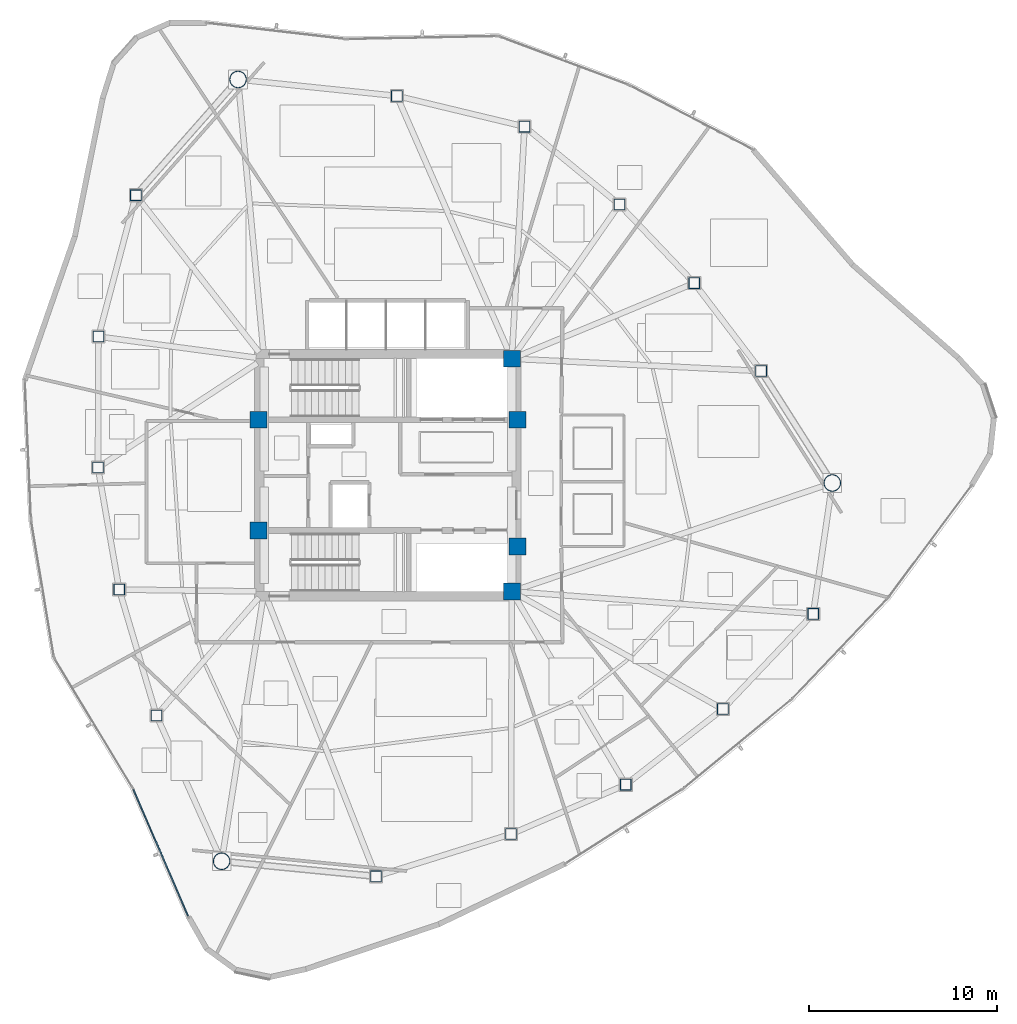
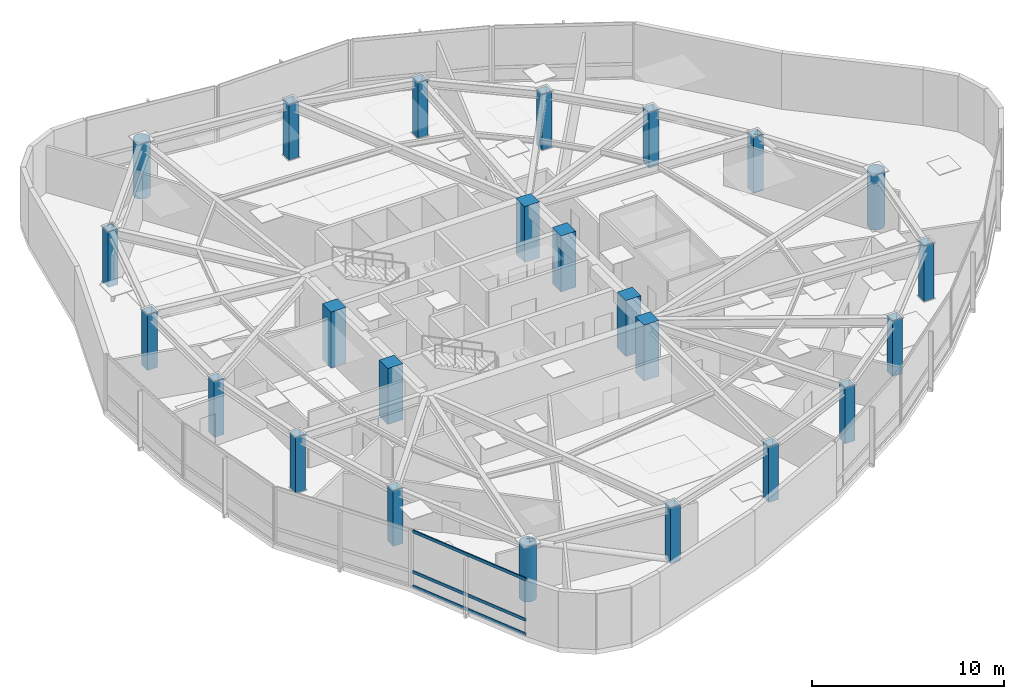
# One storey, part 1 of 17: 24 columns, 3 members, 1 element without a shape of its own.
"""IFC4 building model written with IfcOpenShell, lengths in metres."""

from ifc_helpers import new_model, si_unit, direction, frame, origin, origin_2d, place, context, subcontext, project, spatial, rectangle, hollow_rectangle, hollow_circle, extrude, source, transform, mapped, material, layer, layer_set, material_profile, profile_set, type_object, type_shapes, element, aggregate, save


model = new_model("IFC4")

# Units and contexts
model_context = context("Model", 3, precision=1e-05, world=origin(), true_north=direction((0.0, 1.0)))
body_context = subcontext(model_context, "Body", "Model", "MODEL_VIEW")
ifc_project = project(units=[si_unit("LENGTHUNIT", "METRE"), si_unit("AREAUNIT", "SQUARE_METRE"), si_unit("VOLUMEUNIT", "CUBIC_METRE"), si_unit("PLANEANGLEUNIT", "RADIAN"), si_unit("MASSUNIT", "GRAM", prefix="KILO")], contexts=[model_context])

# Site, building, storey
site_placement = place(None, origin())
site = spatial("IfcSite", under=ifc_project, at=site_placement, CompositionType="ELEMENT")
building_placement = place(site_placement, origin())
building = spatial("IfcBuilding", under=site, at=building_placement, Name="Tavelor Broadcast Tower", CompositionType="ELEMENT")
storey_placement = place(building_placement, frame((0.0, 0.0, 184.89990234375)))
storey = spatial("IfcBuildingStorey", under=building, at=storey_placement, Name="L44", CompositionType="ELEMENT", Elevation=184.89990234375)

# Columns
ifc_material_1 = material(Name="Concrete C50/60", Category="concrete")
ifc_material_profile_1 = material_profile(ifc_material_1, rectangle(XDim=0.89990234375, YDim=0.89990234375, at=origin_2d()), Name="RC 900x900")
ifc_profile_set_1 = profile_set([ifc_material_profile_1], Name="Concrete C50/60")
column_type_1 = type_object("IfcColumnType", Name="Core Embedded Composite Column RC900", PredefinedType="COLUMN", material=ifc_profile_set_1)
for number, where, z_axis, x_axis, name in (
    (1, (43.10009765625, 47.949951171875, 0.0), (0.0, 0.0, 1.0), (1.0, 0.0, 0.0), "L44 Core Embedded Column 1"),
    (2, (56.89990234375, 47.949951171875, 0.0), (0.0, 0.0, 1.0), (1.0, 0.0, 0.0), "L44 Core Embedded Column 2"),
    (3, (56.60009765625, 51.199951171875, 0.0), (0.0, 0.0, 1.0), (1.0, 0.0, 0.0), "L44 Core Embedded Column 3"),
    (4, (43.10009765625, 42.050048828125, 0.0), (0.0, 0.0, 1.0), (1.0, 0.0, 0.0), "L44 Core Embedded Column 4"),
    (5, (56.89990234375, 41.199951171875, 0.0), (0.0, 0.0, 1.0), (1.0, 0.0, 0.0), "L44 Core Embedded Column 5"),
    (6, (56.60009765625, 38.800048828125, 0.0), (0.0, 0.0, 1.0), (1.0, 0.0, 0.0), "L44 Core Embedded Column 6"),
):
    element("IfcColumn", number, at=place(storey_placement, frame(where, z_axis=z_axis, x_axis=x_axis)), inside=storey, type_object=column_type_1, Name=name, PredefinedType="COLUMN", context=body_context, shape_type="SweptSolid", body=[
        extrude(rectangle(XDim=0.89990234375, YDim=0.89990234375, at=origin_2d()), origin(), (0.0, 0.0, 1.0), 3.550048828125),
    ])
ifc_material_2 = material(Name="Steel S460", Category="steel")
ifc_material_profile_2 = material_profile(ifc_material_2, hollow_rectangle(XDim=0.60009765625, YDim=0.60009765625, WallThickness=0.035888671875, at=origin_2d()), Name="SHS 600x600x36")
ifc_profile_set_2 = profile_set([ifc_material_profile_2], Name="Steel S460")
column_type_2 = type_object("IfcColumnType", Name="Perimeter Tube Column T4 SHS 600x600x36", PredefinedType="COLUMN", material=ifc_profile_set_2)
for number, where, z_axis, x_axis, name in (
    (7, (36.567626953125, 59.91064453125, 0.0), (0.0, 0.0, 1.0), (1.0, 0.0, 0.0), "L44 Perimeter Framed-Tube Column 02"),
    (8, (34.5751953125, 52.37939453125, 0.0), (0.0, 0.0, 1.0), (1.0, 0.0, 0.0), "L44 Perimeter Framed-Tube Column 03"),
    (9, (34.54638671875, 45.399169921875, 0.0), (0.0, 0.0, 1.0), (1.0, 0.0, 0.0), "L44 Perimeter Framed-Tube Column 04"),
    (10, (35.680908203125, 38.89990234375, 0.0), (0.0, 0.0, 1.0), (1.0, 0.0, 0.0), "L44 Perimeter Framed-Tube Column 05"),
    (11, (37.668212890625, 32.1904296875, 0.0), (0.0, 0.0, 1.0), (1.0, 0.0, 0.0), "L44 Perimeter Framed-Tube Column 06"),
    (12, (49.366455078125, 23.618896484375, 0.0), (0.0, 0.0, 1.0), (1.0, 0.0, 0.0), "L44 Perimeter Framed-Tube Column 08"),
    (13, (56.56103515625, 25.872802734375, 0.0), (0.0, 0.0, 1.0), (1.0, 0.0, 0.0), "L44 Perimeter Framed-Tube Column 09"),
    (14, (62.669189453125, 28.503173828125, 0.0), (0.0, 0.0, 1.0), (1.0, 0.0, 0.0), "L44 Perimeter Framed-Tube Column 10"),
    (15, (67.84228515625, 32.53173828125, 0.0), (0.0, 0.0, 1.0), (1.0, 0.0, 0.0), "L44 Perimeter Framed-Tube Column 11"),
    (16, (72.6591796875, 37.607421875, 0.0), (0.0, 0.0, 1.0), (1.0, 0.0, 0.0), "L44 Perimeter Framed-Tube Column 12"),
    (17, (69.885986328125, 50.544189453125, 0.0), (0.0, 0.0, 1.0), (1.0, 0.0, 0.0), "L44 Perimeter Framed-Tube Column 14"),
    (18, (66.322021484375, 55.228759765625, 0.0), (0.0, 0.0, 1.0), (1.0, 0.0, 0.0), "L44 Perimeter Framed-Tube Column 15"),
    (19, (62.330810546875, 59.416259765625, 0.0), (0.0, 0.0, 1.0), (1.0, 0.0, 0.0), "L44 Perimeter Framed-Tube Column 16"),
    (20, (57.276611328125, 63.568359375, 0.0), (0.0, 0.0, 1.0), (1.0, 0.0, 0.0), "L44 Perimeter Framed-Tube Column 17"),
    (21, (50.472412109375, 65.2021484375, 0.0), (0.0, 0.0, 1.0), (1.0, 0.0, 0.0), "L44 Perimeter Framed-Tube Column 18"),
):
    element("IfcColumn", number, at=place(storey_placement, frame(where, z_axis=z_axis, x_axis=x_axis)), inside=storey, type_object=column_type_2, Name=name, PredefinedType="COLUMN", context=body_context, shape_type="SweptSolid", body=[
        extrude(hollow_rectangle(XDim=0.60009765625, YDim=0.60009765625, WallThickness=0.035888671875, at=origin_2d()), origin(), (0.0, 0.0, 1.0), 3.550048828125),
    ])
ifc_material_profile_3 = material_profile(ifc_material_2, hollow_circle(Radius=0.45703125, WallThickness=0.0400390625, at=origin_2d()), Name="CHS 914x40")
ifc_profile_set_3 = profile_set([ifc_material_profile_3], Name="Steel S460")
column_type_3 = type_object("IfcColumnType", Name="Tower Mega Column T4 CHS 914x40", PredefinedType="COLUMN", material=ifc_profile_set_3)
for number, where, z_axis, x_axis, name in (
    (22, (42.01123046875, 66.080078125, 0.0), (0.0, 0.0, 1.0), (1.0, 0.0, 0.0), "L44 Tower Corner Mega Column 01"),
    (23, (41.138671875, 24.423828125, 0.0), (0.0, 0.0, 1.0), (1.0, 0.0, 0.0), "L44 Tower Corner Mega Column 07"),
    (24, (73.676025390625, 44.57958984375, 0.0), (0.0, 0.0, 1.0), (1.0, 0.0, 0.0), "L44 Tower Corner Mega Column 13"),
):
    element("IfcColumn", number, at=place(storey_placement, frame(where, z_axis=z_axis, x_axis=x_axis)), inside=storey, type_object=column_type_3, Name=name, PredefinedType="COLUMN", context=body_context, shape_type="SweptSolid", body=[
        extrude(hollow_circle(Radius=0.45703125, WallThickness=0.0400390625, at=origin_2d()), origin(), (0.0, 0.0, 1.0), 3.550048828125),
    ])

# Curtain wall, members
ifc_material_3 = material(Name="Architectural Anodized Aluminium", Category="aluminium")
ifc_layer = layer(ifc_material_3, 0.18994140625)
ifc_layer_set = layer_set([ifc_layer], Name="Architectural Anodized Aluminium")
curtain_wall_type = type_object("IfcCurtainWallType", Name="Tower Mid-Zone Acoustic Curtain Wall CW03", PredefinedType="NOTDEFINED", material=ifc_layer_set)
curtain_wall_placement = place(storey_placement, origin())
curtain_wall = element("IfcCurtainWall", 25, at=curtain_wall_placement, inside=storey, type_object=curtain_wall_type, Name="L44 Curtain Wall CW03 Run 472", PredefinedType="NOTDEFINED")
ifc_material_profile_4 = material_profile(ifc_material_3, hollow_rectangle(XDim=0.068115234375, YDim=0.18994140625, WallThickness=0.02197265625, at=origin_2d()), Name="RHS 68x190x22")
ifc_profile_set_4 = profile_set([ifc_material_profile_4], Name="Architectural Anodized Aluminium")
member_type = type_object("IfcMemberType", Name="CW03 Extruded Aluminium Transom 68x190", PredefinedType="USERDEFINED", material=ifc_profile_set_4)
shared_shape = source(origin(), body_context, "Body", "SweptSolid", [
    extrude(hollow_rectangle(XDim=0.068115234375, YDim=0.18994140625, WallThickness=0.02197265625, at=origin_2d()), origin(), (0.0, 0.0, 1.0), 7.33837890625),
])
type_shapes(member_type, [shared_shape])
member_1_placement = place(storey_placement, frame((36.4365234375, 28.248291015625, 0.0341796875), z_axis=(0.396764189453, -0.917920572799, 0.0), x_axis=(0.917920572799, 0.396764189453, 0.0)))
member_1 = element("IfcMember", 26, at=member_1_placement, type_object=member_type, Name="CW03 transom 1.1", ObjectType="TRANSOM", PredefinedType="USERDEFINED", context=body_context, shape_type="MappedRepresentation", body=[
    mapped(shared_shape, transform((0.0, 0.0, 0.0), scale=1.0)),
])
member_2_placement = place(storey_placement, frame((36.4365234375, 28.248291015625, 0.9501953125), z_axis=(0.396764189453, -0.917920572799, 0.0), x_axis=(0.917920572799, 0.396764189453, 0.0)))
member_2 = element("IfcMember", 27, at=member_2_placement, type_object=member_type, Name="CW03 transom 1.2", ObjectType="TRANSOM", PredefinedType="USERDEFINED", context=body_context, shape_type="MappedRepresentation", body=[
    mapped(shared_shape, transform((0.0, 0.0, 0.0), scale=1.0)),
])
member_3_placement = place(storey_placement, frame((36.4365234375, 28.248291015625, 3.51611328125), z_axis=(0.396764189453, -0.917920572799, 0.0), x_axis=(0.917920572799, 0.396764189453, 0.0)))
member_3 = element("IfcMember", 28, at=member_3_placement, type_object=member_type, Name="CW03 transom 1.3", ObjectType="TRANSOM", PredefinedType="USERDEFINED", context=body_context, shape_type="MappedRepresentation", body=[
    mapped(shared_shape, transform((0.0, 0.0, 0.0), scale=1.0)),
])
aggregate(curtain_wall, [member_1, member_2, member_3])

save(model, "model.ifc")
